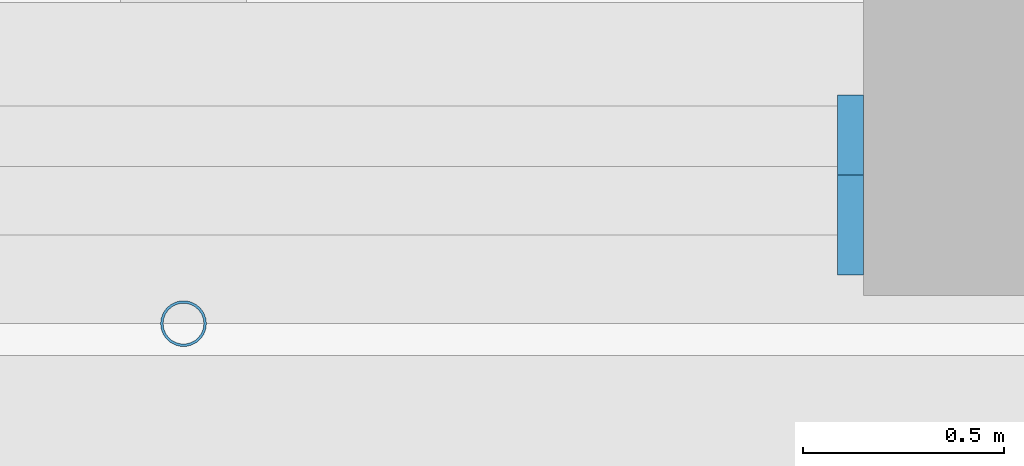
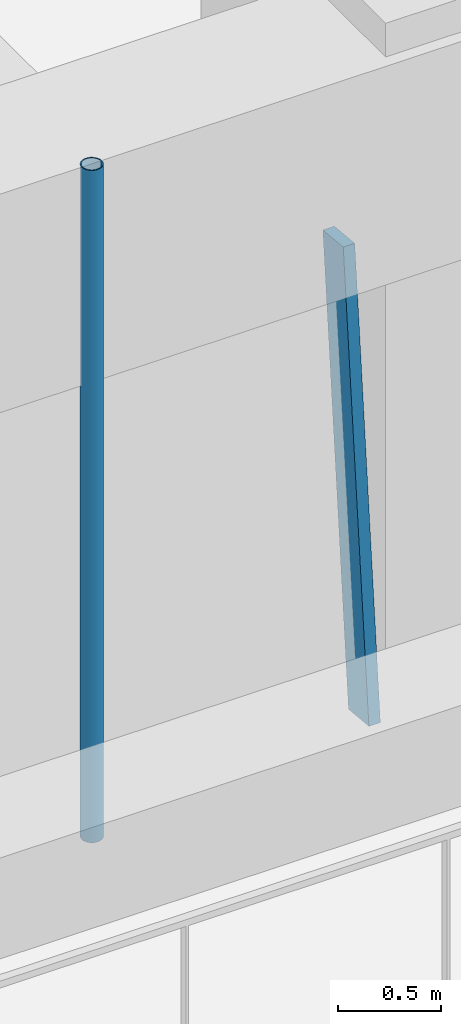
# One storey, part 4 of 23: 2 members, 1 element without a shape of its own.
"""IFC4 building model written with IfcOpenShell, lengths in metres."""

from ifc_helpers import new_model, si_unit, direction, frame, origin, origin_2d, place, context, subcontext, project, spatial, rectangle, hollow_circle, extrude, material, material_profile, profile_set, type_object, element, aggregate, save


model = new_model("IFC4")

# Units and contexts
model_context = context("Model", 3, precision=1e-05, world=origin(), true_north=direction((0.0, 1.0)))
body_context = subcontext(model_context, "Body", "Model", "MODEL_VIEW")
ifc_project = project(units=[si_unit("LENGTHUNIT", "METRE"), si_unit("AREAUNIT", "SQUARE_METRE"), si_unit("VOLUMEUNIT", "CUBIC_METRE"), si_unit("PLANEANGLEUNIT", "RADIAN"), si_unit("MASSUNIT", "GRAM", prefix="KILO")], contexts=[model_context])

# Site, building, storey
site_placement = place(None, origin())
site = spatial("IfcSite", under=ifc_project, at=site_placement, CompositionType="ELEMENT")
building_placement = place(site_placement, origin())
building = spatial("IfcBuilding", under=site, at=building_placement, Name="Tarfa Lantern Tower", CompositionType="ELEMENT")
storey_placement = place(building_placement, frame((0.0, 0.0, 44.5)))
storey = spatial("IfcBuildingStorey", under=building, at=storey_placement, Name="L09", CompositionType="ELEMENT", Elevation=44.5)

# Curtain wall, member
ifc_material_1 = material(Name="Aluminium framed curtain wall", Category="aluminium")
curtain_wall_type = type_object("IfcCurtainWallType", Name="CW1 CANTED GLAZING LOW ZONE 2700", PredefinedType="USERDEFINED", material=ifc_material_1)
curtain_wall_placement = place(storey_placement, origin())
curtain_wall = element("IfcCurtainWall", 1, at=curtain_wall_placement, inside=storey, type_object=curtain_wall_type, Name="CW1 S L09", ObjectType="CURTAIN WALL", PredefinedType="USERDEFINED")
ifc_material_2 = material(Name="Aluminium mullion", Category="aluminium")
ifc_material_profile_1 = material_profile(ifc_material_2, rectangle(XDim=0.06494140625, YDim=0.199951171875, at=origin_2d()), Name="AL MULLION 65x200")
ifc_profile_set_1 = profile_set([ifc_material_profile_1], Name="Aluminium mullion")
member_type_1 = type_object("IfcMemberType", Name="CWM1 MULLION 65x200", PredefinedType="MULLION", material=ifc_profile_set_1)
member_1_placement = place(storey_placement, frame((9.74462890625, -33.89990234375, 0.0), z_axis=(0.0, 0.092199863775, 0.995740520979), x_axis=(-1.0, 0.0, 0.0)))
member_1 = element("IfcMember", 2, at=member_1_placement, type_object=member_type_1, Name="CW1 mullion 2", PredefinedType="MULLION", context=body_context, shape_type="SweptSolid", body=[
    extrude(rectangle(XDim=0.06494140625, YDim=0.199951171875, at=origin_2d()), origin(), (0.0, 0.0, 1.0), 2.71142578125),
])
aggregate(curtain_wall, [member_1])

# Member
ifc_material_3 = material(Name="Steel S355", Category="steel")
ifc_material_profile_2 = material_profile(ifc_material_3, hollow_circle(Radius=0.05712890625, WallThickness=0.00634765625, at=origin_2d()), Name="CHS114.3x6.3")
ifc_profile_set_2 = profile_set([ifc_material_profile_2], Name="Steel S355")
member_type_2 = type_object("IfcMemberType", Name="TR1 GREEN WALL TRELLIS CHS114.3x6.3", PredefinedType="USERDEFINED", material=ifc_profile_set_2)
member_2_placement = place(storey_placement, frame((8.0830078125, -34.1201171875, 0.0), z_axis=(0.0, 0.0, 1.0), x_axis=(1.0, 0.0, 0.0)))
element("IfcMember", 3, at=member_2_placement, inside=storey, type_object=member_type_2, Name="Trellis post S 2", ObjectType="TRELLIS", PredefinedType="USERDEFINED", context=body_context, shape_type="SweptSolid", body=[
    extrude(hollow_circle(Radius=0.05712890625, WallThickness=0.00634765625, at=origin_2d()), origin(), (0.0, 0.0, 1.0), 4.0),
])

save(model, "model.ifc")
